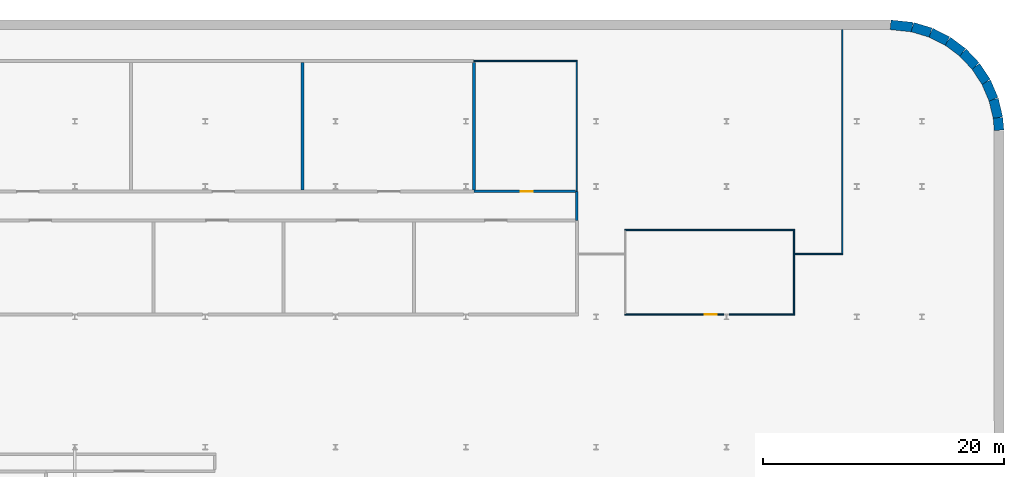
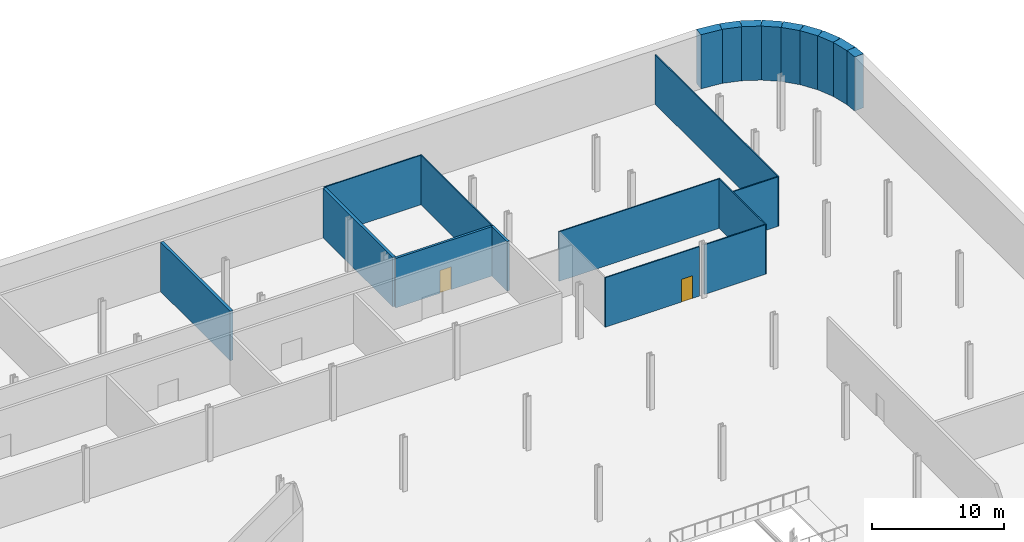
# One storey, part 14 of 19: 21 walls, 2 doors, 2 openings.
"""IFC4 building model written with IfcOpenShell, lengths in metres."""

from ifc_helpers import new_model, si_unit, direction, frame, frame_2d, origin, place, context, subcontext, project, spatial, rectangle, extrude, source, transform, mapped, material, layer, layer_set, type_object, element, fill, save


model = new_model("IFC4")

# Units and contexts
model_context = context("Model", 3, precision=1e-05, world=origin(), true_north=direction((0.0, 1.0)))
body_context = subcontext(model_context, "Body", "Model", "MODEL_VIEW")
ifc_project = project(units=[si_unit("LENGTHUNIT", "METRE"), si_unit("AREAUNIT", "SQUARE_METRE"), si_unit("VOLUMEUNIT", "CUBIC_METRE"), si_unit("PLANEANGLEUNIT", "RADIAN"), si_unit("MASSUNIT", "GRAM", prefix="KILO")], contexts=[model_context])

# Site, building, storey
site_placement = place(None, origin())
site = spatial("IfcSite", under=ifc_project, at=site_placement, CompositionType="ELEMENT")
building_placement = place(site_placement, origin())
building = spatial("IfcBuilding", under=site, at=building_placement, Name="Kheshtan School and Residences Tower", CompositionType="ELEMENT")
storey_placement = place(building_placement, frame((0.0, 0.0, -10.0)))
storey = spatial("IfcBuildingStorey", under=building, at=storey_placement, Name="B2", CompositionType="ELEMENT", Elevation=-10.0)

# Walls
ifc_material_1 = material(Name="Concrete C35/45", Category="concrete")
ifc_layer_1 = layer(ifc_material_1, 0.800048828125)
ifc_layer_set_1 = layer_set([ifc_layer_1], Name="Basement wall 800 Concrete C35/45")
wall_type_1 = type_object("IfcWallType", Name="Basement wall 800 Concrete C35/45", PredefinedType="SOLIDWALL", material=ifc_layer_set_1)
wall_1_placement = place(storey_placement, frame((126.0, 113.0, 0.0), z_axis=(0.0, 0.0, 1.0), x_axis=(0.994412187849, -0.105567043429, 0.0)))
element("IfcWall", 1, at=wall_1_placement, inside=storey, type_object=wall_type_1, Name="Secant pile wall 11", PredefinedType="SOLIDWALL", context=body_context, shape_type="SweptSolid", body=[
    extrude(rectangle(XDim=1.829345703125, YDim=0.800048828125, at=frame_2d((0.91455078125, 0.0))), origin(), (0.0, 0.0, 1.0), 5.0),
])
wall_2_placement = place(storey_placement, frame((127.819091796875, 112.806884765625, 0.0), z_axis=(0.0, 0.0, 1.0), x_axis=(0.957886299092, -0.287147763375, 0.0)))
element("IfcWall", 2, at=wall_2_placement, inside=storey, type_object=wall_type_1, Name="Secant pile wall 12", PredefinedType="SOLIDWALL", context=body_context, shape_type="SweptSolid", body=[
    extrude(rectangle(XDim=1.56689453125, YDim=0.800048828125, at=frame_2d((0.783447265625, 0.0))), origin(), (0.0, 0.0, 1.0), 5.0),
])
wall_3_placement = place(storey_placement, frame((129.320068359375, 112.35693359375, 0.0), z_axis=(0.0, 0.0, 1.0), x_axis=(0.893803246399, -0.448459314462, 0.0)))
element("IfcWall", 3, at=wall_3_placement, inside=storey, type_object=wall_type_1, Name="Secant pile wall 13", PredefinedType="SOLIDWALL", context=body_context, shape_type="SweptSolid", body=[
    extrude(rectangle(XDim=1.5673828125, YDim=0.800048828125, at=frame_2d((0.78369140625, 0.0))), origin(), (0.0, 0.0, 1.0), 5.0),
])
wall_4_placement = place(storey_placement, frame((130.720947265625, 111.654052734375, 0.0), z_axis=(0.0, 0.0, 1.0), x_axis=(0.801771638905, -0.597630520512, 0.0)))
element("IfcWall", 4, at=wall_4_placement, inside=storey, type_object=wall_type_1, Name="Secant pile wall 14", PredefinedType="SOLIDWALL", context=body_context, shape_type="SweptSolid", body=[
    extrude(rectangle(XDim=1.56787109375, YDim=0.800048828125, at=frame_2d((0.783935546875, 0.0))), origin(), (0.0, 0.0, 1.0), 5.0),
])
wall_5_placement = place(storey_placement, frame((131.97802734375, 110.717041015625, 0.0), z_axis=(0.0, 0.0, 1.0), x_axis=(0.686641833089, -0.726995868662, 0.0)))
element("IfcWall", 5, at=wall_5_placement, inside=storey, type_object=wall_type_1, Name="Secant pile wall 15", PredefinedType="SOLIDWALL", context=body_context, shape_type="SweptSolid", body=[
    extrude(rectangle(XDim=1.56689453125, YDim=0.800048828125, at=frame_2d((0.783447265625, 0.0))), origin(), (0.0, 0.0, 1.0), 5.0),
])
wall_6_placement = place(storey_placement, frame((133.053955078125, 109.577880859375, 0.0), z_axis=(0.0, 0.0, 1.0), x_axis=(0.549333272834, -0.835603348101, 0.0)))
element("IfcWall", 6, at=wall_6_placement, inside=storey, type_object=wall_type_1, Name="Secant pile wall 16", PredefinedType="SOLIDWALL", context=body_context, shape_type="SweptSolid", body=[
    extrude(rectangle(XDim=1.567626953125, YDim=0.800048828125, at=frame_2d((0.78369140625, 0.0))), origin(), (0.0, 0.0, 1.0), 5.0),
])
wall_7_placement = place(storey_placement, frame((133.9150390625, 108.26806640625, 0.0), z_axis=(0.0, 0.0, 1.0), x_axis=(0.396155493925, -0.918183437355, 0.0)))
element("IfcWall", 7, at=wall_7_placement, inside=storey, type_object=wall_type_1, Name="Secant pile wall 17", PredefinedType="SOLIDWALL", context=body_context, shape_type="SweptSolid", body=[
    extrude(rectangle(XDim=1.567138671875, YDim=0.800048828125, at=frame_2d((0.78369140625, 0.0))), origin(), (0.0, 0.0, 1.0), 5.0),
])
wall_8_placement = place(storey_placement, frame((134.535888671875, 106.8291015625, 0.0), z_axis=(0.0, 0.0, 1.0), x_axis=(0.230834833469, -0.972992949439, 0.0)))
element("IfcWall", 8, at=wall_8_placement, inside=storey, type_object=wall_type_1, Name="Secant pile wall 18", PredefinedType="SOLIDWALL", context=body_context, shape_type="SweptSolid", body=[
    extrude(rectangle(XDim=1.568603515625, YDim=0.800048828125, at=frame_2d((0.7841796875, 0.0))), origin(), (0.0, 0.0, 1.0), 5.0),
])
wall_9_placement = place(storey_placement, frame((134.89794921875, 105.302978515625, 0.0), z_axis=(0.0, 0.0, 1.0), x_axis=(0.087062712427, -0.996202832813, 0.0)))
element("IfcWall", 9, at=wall_9_placement, inside=storey, type_object=wall_type_1, Name="Secant pile wall 19", PredefinedType="SOLIDWALL", context=body_context, shape_type="SweptSolid", body=[
    extrude(rectangle(XDim=1.0458984375, YDim=0.800048828125, at=frame_2d((0.52294921875, 0.0))), origin(), (0.0, 0.0, 1.0), 5.0),
])

# Wall, opening, door
ifc_material_2 = material(Name="Gypsum board on steel studs with fire boards", Category="steel")
ifc_layer_2 = layer(ifc_material_2, 0.199951171875)
ifc_layer_set_2 = layer_set([ifc_layer_2], Name="Corridor wall 200")
wall_type_2 = type_object("IfcWallType", Name="Corridor wall 200", PredefinedType="PARTITIONING", material=ifc_layer_set_2)
wall_10_placement = place(storey_placement, frame((91.47412109375, 99.199951171875, 0.0), z_axis=(0.0, 0.0, 1.0), x_axis=(1.0, 0.0, 0.0)))
wall_10 = element("IfcWall", 10, at=wall_10_placement, inside=storey, type_object=wall_type_2, Name="Partition B2-049", PredefinedType="PARTITIONING", context=body_context, shape_type="SweptSolid", body=[
    extrude(rectangle(XDim=8.42578125, YDim=0.199951171875, at=frame_2d((4.212890625, 0.0))), origin(), (0.0, 0.0, 1.0), 4.580078125),
])
opening_1_placement = place(wall_10_placement, frame((3.8759765625, 0.0, 0.0)))
opening_1 = element("IfcOpeningElement", 11, at=opening_1_placement, cuts=wall_10, Name="Opening D2-010", PredefinedType="OPENING", context=body_context, shape_type="SweptSolid", body=[
    extrude(rectangle(XDim=1.0, YDim=2.10009765625, at=frame_2d((0.5, 1.050048828125))), frame((0.0, 0.10986328125, 0.0), z_axis=(0.0, -1.0, 0.0), x_axis=(1.0, 0.0, 0.0)), (0.0, 0.0, 1.0), 0.219970703125),
])
ifc_material_3 = material(Name="Steel-framed fire-resisting door leaf", Category="steel")
door_type_1 = type_object("IfcDoorType", Name="Fire door FD60 1000 x 2100", OperationType="SINGLE_SWING_LEFT", PredefinedType="DOOR", material=ifc_material_3)
shared_shape_1 = source(origin(), body_context, "Body", "SweptSolid", [
    extrude(rectangle(XDim=1.0, YDim=2.10009765625, at=frame_2d((0.5, 1.050048828125))), frame((0.0, 0.02490234375, 0.0), z_axis=(0.0, -1.0, 0.0), x_axis=(1.0, 0.0, 0.0)), (0.0, 0.0, 1.0), 0.050048828125),
])
door_1_placement = place(opening_1_placement, origin())
door_1 = element("IfcDoor", 12, at=door_1_placement, inside=storey, type_object=door_type_1, Name="Door D2-010", OperationType="SINGLE_SWING_RIGHT", OverallHeight=2.10009765625, OverallWidth=1.0, PredefinedType="DOOR", context=body_context, shape_type="MappedRepresentation", body=[
    mapped(shared_shape_1, transform((0.0, 0.0, 0.0), x_axis=(1.0, 0.0, 0.0), y_axis=(0.0, 1.0, 0.0), z_axis=(0.0, 0.0, 1.0), scale=1.0)),
])
fill(opening_1, door_1)

# Walls
wall_11_placement = place(storey_placement, frame((100.0, 96.800048828125, 0.0), z_axis=(0.0, 0.0, 1.0), x_axis=(0.0, 1.0, 0.0)))
element("IfcWall", 13, at=wall_11_placement, inside=storey, type_object=wall_type_2, Name="Partition B2-057", PredefinedType="PARTITIONING", context=body_context, shape_type="SweptSolid", body=[
    extrude(rectangle(XDim=2.39990234375, YDim=0.199951171875, at=frame_2d((1.199951171875, 0.0))), origin(), (0.0, 0.0, 1.0), 4.580078125),
])
ifc_material_4 = material(Name="Gypsum board on steel studs", Category="steel")
ifc_layer_3 = layer(ifc_material_4, 0.10009765625)
ifc_layer_set_3 = layer_set([ifc_layer_3], Name="Gypsum partition 100")
wall_type_3 = type_object("IfcWallType", Name="Gypsum partition 100", PredefinedType="PARTITIONING", material=ifc_layer_set_3)
wall_12_placement = place(storey_placement, frame((91.47412109375, 110.0, 0.0), z_axis=(0.0, 0.0, 1.0), x_axis=(1.0, 0.0, 0.0)))
element("IfcWall", 14, at=wall_12_placement, inside=storey, type_object=wall_type_3, Name="Partition B2-051", PredefinedType="PARTITIONING", context=body_context, shape_type="SweptSolid", body=[
    extrude(rectangle(XDim=8.475830078125, YDim=0.10009765625, at=frame_2d((4.23779296875, 0.0))), origin(), (0.0, 0.0, 1.0), 4.580078125),
])
wall_13_placement = place(storey_placement, frame((100.0, 99.199951171875, 0.0), z_axis=(0.0, 0.0, 1.0), x_axis=(0.0, 1.0, 0.0)))
element("IfcWall", 15, at=wall_13_placement, inside=storey, type_object=wall_type_3, Name="Partition B2-058", PredefinedType="PARTITIONING", context=body_context, shape_type="SweptSolid", body=[
    extrude(rectangle(XDim=10.85009765625, YDim=0.10009765625, at=frame_2d((5.425048828125, 0.0))), origin(), (0.0, 0.0, 1.0), 4.580078125),
])

# Wall, opening, door
wall_14_placement = place(storey_placement, frame((103.949951171875, 89.0, 0.0), z_axis=(0.0, 0.0, 1.0), x_axis=(1.0, 0.0, 0.0)))
wall_14 = element("IfcWall", 16, at=wall_14_placement, inside=storey, type_object=wall_type_3, Name="Partition B2-062", PredefinedType="PARTITIONING", context=body_context, shape_type="SweptSolid", body=[
    extrude(rectangle(XDim=8.239013671875, YDim=0.10009765625, at=frame_2d((4.11962890625, 0.0))), origin(), (0.0, 0.0, 1.0), 4.580078125),
])
opening_2_placement = place(wall_14_placement, frame((6.64990234375, 0.0, 0.0)))
opening_2 = element("IfcOpeningElement", 17, at=opening_2_placement, cuts=wall_14, Name="Opening D2-013", PredefinedType="OPENING", context=body_context, shape_type="SweptSolid", body=[
    extrude(rectangle(XDim=1.0, YDim=2.10009765625, at=frame_2d((0.5, 1.050048828125))), frame((0.0, 0.06005859375, 0.0), z_axis=(0.0, -1.0, 0.0), x_axis=(1.0, 0.0, 0.0)), (0.0, 0.0, 1.0), 0.1201171875),
])
ifc_material_5 = material(Name="Veneered timber door leaf", Category="wood")
door_type_2 = type_object("IfcDoorType", Name="Door 1000 x 2100", OperationType="SINGLE_SWING_LEFT", PredefinedType="DOOR", material=ifc_material_5)
shared_shape_2 = source(origin(), body_context, "Body", "SweptSolid", [
    extrude(rectangle(XDim=1.0, YDim=2.10009765625, at=frame_2d((0.5, 1.050048828125))), frame((0.0, 0.02490234375, 0.0), z_axis=(0.0, -1.0, 0.0), x_axis=(1.0, 0.0, 0.0)), (0.0, 0.0, 1.0), 0.050048828125),
])
door_2_placement = place(opening_2_placement, origin())
door_2 = element("IfcDoor", 18, at=door_2_placement, inside=storey, type_object=door_type_2, Name="Door D2-013", OperationType="SINGLE_SWING_LEFT", OverallHeight=2.10009765625, OverallWidth=1.0, PredefinedType="DOOR", context=body_context, shape_type="MappedRepresentation", body=[
    mapped(shared_shape_2, transform((0.0, 0.0, 0.0), x_axis=(1.0, 0.0, 0.0), y_axis=(0.0, 1.0, 0.0), z_axis=(0.0, 0.0, 1.0), scale=1.0)),
])
fill(opening_2, door_2)

# Walls
wall_15_placement = place(storey_placement, frame((103.949951171875, 96.0, 0.0), z_axis=(0.0, 0.0, 1.0), x_axis=(1.0, 0.0, 0.0)))
element("IfcWall", 19, at=wall_15_placement, inside=storey, type_object=wall_type_3, Name="Partition B2-063", PredefinedType="PARTITIONING", context=body_context, shape_type="SweptSolid", body=[
    extrude(rectangle(XDim=14.10009765625, YDim=0.10009765625, at=frame_2d((7.050048828125, 0.0))), origin(), (0.0, 0.0, 1.0), 4.580078125),
])
wall_16_placement = place(storey_placement, frame((112.611083984375, 89.0, 0.0), z_axis=(0.0, 0.0, 1.0), x_axis=(1.0, 0.0, 0.0)))
element("IfcWall", 20, at=wall_16_placement, inside=storey, type_object=wall_type_3, Name="Partition B2-067", PredefinedType="PARTITIONING", context=body_context, shape_type="SweptSolid", body=[
    extrude(rectangle(XDim=5.3388671875, YDim=0.10009765625, at=frame_2d((2.66943359375, 0.0))), origin(), (0.0, 0.0, 1.0), 4.580078125),
])
wall_17_placement = place(storey_placement, frame((118.0, 88.949951171875, 0.0), z_axis=(0.0, 0.0, 1.0), x_axis=(0.0, 1.0, 0.0)))
element("IfcWall", 21, at=wall_17_placement, inside=storey, type_object=wall_type_3, Name="Partition B2-070", PredefinedType="PARTITIONING", context=body_context, shape_type="SweptSolid", body=[
    extrude(rectangle(XDim=7.0, YDim=0.10009765625, at=frame_2d((3.5, 0.0))), origin(), (0.0, 0.0, 1.0), 4.580078125),
])
wall_18_placement = place(storey_placement, frame((118.050048828125, 94.0, 0.0), z_axis=(0.0, 0.0, 1.0), x_axis=(1.0, 0.0, 0.0)))
element("IfcWall", 22, at=wall_18_placement, inside=storey, type_object=wall_type_3, Name="Partition B2-071", PredefinedType="PARTITIONING", context=body_context, shape_type="SweptSolid", body=[
    extrude(rectangle(XDim=3.89990234375, YDim=0.10009765625, at=frame_2d((1.949951171875, 0.0))), origin(), (0.0, 0.0, 1.0), 4.580078125),
])
wall_19_placement = place(storey_placement, frame((122.0, 93.949951171875, 0.0), z_axis=(0.0, 0.0, 1.0), x_axis=(0.0, 1.0, 0.0)))
element("IfcWall", 23, at=wall_19_placement, inside=storey, type_object=wall_type_3, Name="Partition B2-072", PredefinedType="PARTITIONING", context=body_context, shape_type="SweptSolid", body=[
    extrude(rectangle(XDim=18.651123046875, YDim=0.10009765625, at=frame_2d((9.32568359375, 0.0))), origin(), (0.0, 0.0, 1.0), 4.580078125),
])
ifc_material_6 = material(Name="Fire-board and steel stud wall with mineral wool", Category="steel")
ifc_layer_4 = layer(ifc_material_6, 0.25)
ifc_layer_set_4 = layer_set([ifc_layer_4], Name="Plant room wall 250")
wall_type_4 = type_object("IfcWallType", Name="Plant room wall 250", PredefinedType="PARTITIONING", material=ifc_layer_set_4)
for number, where, z_axis, x_axis, name in (
    (24, (77.262939453125, 99.324951171875, 0.0), (0.0, 0.0, 1.0), (0.0, 1.0, 0.0), "Partition B2-042"),
    (25, (91.47412109375, 99.324951171875, 0.0), (0.0, 0.0, 1.0), (0.0, 1.0, 0.0), "Partition B2-050"),
):
    element("IfcWall", number, at=place(storey_placement, frame(where, z_axis=z_axis, x_axis=x_axis)), inside=storey, type_object=wall_type_4, Name=name, PredefinedType="PARTITIONING", context=body_context, shape_type="SweptSolid", body=[
        extrude(rectangle(XDim=10.550048828125, YDim=0.25, at=frame_2d((5.27490234375, 0.0))), origin(), (0.0, 0.0, 1.0), 4.580078125),
    ])

save(model, "model.ifc")
